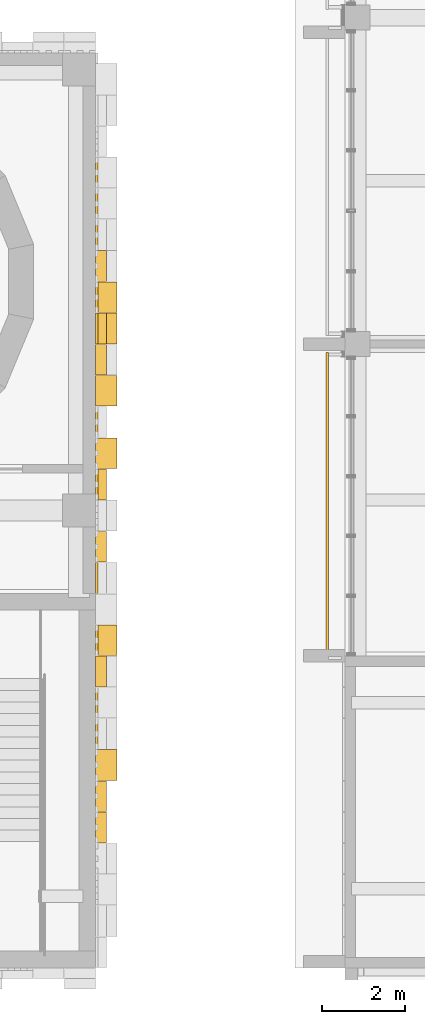
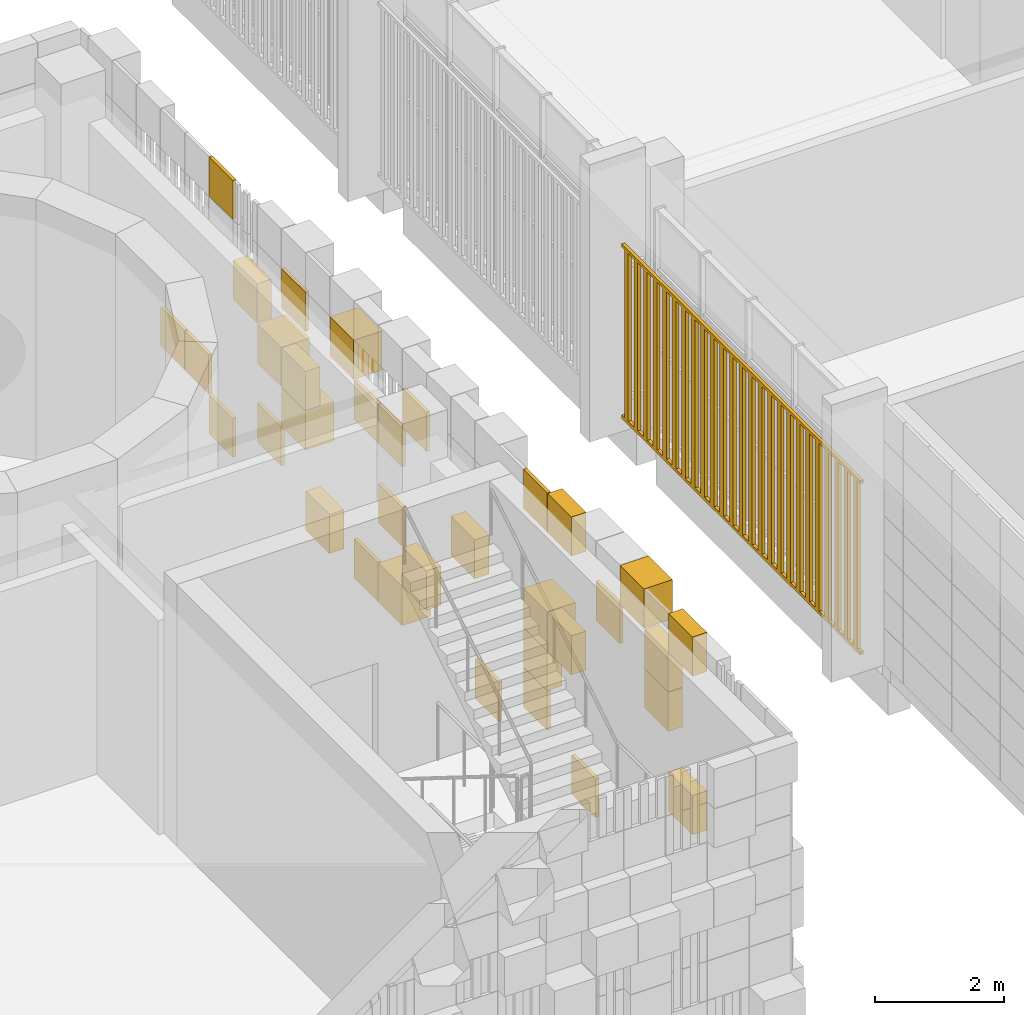
# One storey, part 107 of 125: 2 coverings, 1 shading device.
"""IFC4 building model written with IfcOpenShell, lengths in metres."""

from ifc_helpers import new_model, si_unit, direction, frame, origin, origin_2d, place, context, subcontext, project, spatial, rectangle, extrude, material, layer, layer_set, type_object, element, save


model = new_model("IFC4")

# Units and contexts
model_context = context("Model", 3, precision=1e-05, world=origin(), true_north=direction((0.0, 1.0)))
body_context = subcontext(model_context, "Body", "Model", "MODEL_VIEW")
ifc_project = project(units=[si_unit("LENGTHUNIT", "METRE"), si_unit("AREAUNIT", "SQUARE_METRE"), si_unit("VOLUMEUNIT", "CUBIC_METRE"), si_unit("PLANEANGLEUNIT", "RADIAN"), si_unit("MASSUNIT", "GRAM", prefix="KILO")], contexts=[model_context])

# Site, building, storey
site_placement = place(None, origin())
site = spatial("IfcSite", under=ifc_project, at=site_placement, CompositionType="ELEMENT")
building_placement = place(site_placement, origin())
building = spatial("IfcBuilding", under=site, at=building_placement, Name="Sun Court Science Centre", CompositionType="ELEMENT")
storey_placement = place(building_placement, frame((0.0, 0.0, 6.0)))
storey = spatial("IfcBuildingStorey", under=building, at=storey_placement, Name="L01", CompositionType="ELEMENT", Elevation=6.0)

# Shading device
ifc_material_1 = material(Name="Red sandstone", Category="masonry")
ifc_layer_1 = layer(ifc_material_1, 0.06005859375)
ifc_layer_set_1 = layer_set([ifc_layer_1], Name="Red sandstone")
shading_device_type = type_object("IfcShadingDeviceType", Name="Jali screen, sandstone", PredefinedType="USERDEFINED", material=ifc_layer_set_1)
shading_device_placement = place(storey_placement, frame((0.0, 0.0, -6.0)))
element("IfcShadingDevice", 1, at=shading_device_placement, inside=storey, type_object=shading_device_type, Name="Jali screen west face L01 01", ObjectType="JALI SCREEN", PredefinedType="USERDEFINED", context=body_context, shape_type="SweptSolid", body=[
    extrude(rectangle(XDim=0.1201171875, YDim=0.06005859375, at=origin_2d()), frame((77.570068359375, 13.548095703125, 6.33984375), z_axis=(0.0, 0.0, 1.0), x_axis=(0.0, 1.0, 0.0)), (0.0, 0.0, 1.0), 3.219970703125),
    extrude(rectangle(XDim=0.1201171875, YDim=0.06005859375, at=origin_2d()), frame((77.570068359375, 13.843994140625, 6.33984375), z_axis=(0.0, 0.0, 1.0), x_axis=(0.0, 1.0, 0.0)), (0.0, 0.0, 1.0), 3.219970703125),
    extrude(rectangle(XDim=0.1201171875, YDim=0.06005859375, at=origin_2d()), frame((77.570068359375, 14.139892578125, 6.33984375), z_axis=(0.0, 0.0, 1.0), x_axis=(0.0, 1.0, 0.0)), (0.0, 0.0, 1.0), 3.219970703125),
    extrude(rectangle(XDim=0.1201171875, YDim=0.06005859375, at=origin_2d()), frame((77.570068359375, 14.43603515625, 6.33984375), z_axis=(0.0, 0.0, 1.0), x_axis=(0.0, 1.0, 0.0)), (0.0, 0.0, 1.0), 3.219970703125),
    extrude(rectangle(XDim=0.1201171875, YDim=0.06005859375, at=origin_2d()), frame((77.570068359375, 14.73193359375, 6.33984375), z_axis=(0.0, 0.0, 1.0), x_axis=(0.0, 1.0, 0.0)), (0.0, 0.0, 1.0), 3.219970703125),
    extrude(rectangle(XDim=0.1201171875, YDim=0.06005859375, at=origin_2d()), frame((77.570068359375, 15.028076171875, 6.33984375), z_axis=(0.0, 0.0, 1.0), x_axis=(0.0, 1.0, 0.0)), (0.0, 0.0, 1.0), 3.219970703125),
    extrude(rectangle(XDim=0.1201171875, YDim=0.06005859375, at=origin_2d()), frame((77.570068359375, 15.323974609375, 6.33984375), z_axis=(0.0, 0.0, 1.0), x_axis=(0.0, 1.0, 0.0)), (0.0, 0.0, 1.0), 3.219970703125),
    extrude(rectangle(XDim=0.1201171875, YDim=0.06005859375, at=origin_2d()), frame((77.570068359375, 15.6201171875, 6.33984375), z_axis=(0.0, 0.0, 1.0), x_axis=(0.0, 1.0, 0.0)), (0.0, 0.0, 1.0), 3.219970703125),
    extrude(rectangle(XDim=0.1201171875, YDim=0.06005859375, at=origin_2d()), frame((77.570068359375, 15.916015625, 6.33984375), z_axis=(0.0, 0.0, 1.0), x_axis=(0.0, 1.0, 0.0)), (0.0, 0.0, 1.0), 3.219970703125),
    extrude(rectangle(XDim=0.1201171875, YDim=0.06005859375, at=origin_2d()), frame((77.570068359375, 16.2119140625, 6.33984375), z_axis=(0.0, 0.0, 1.0), x_axis=(0.0, 1.0, 0.0)), (0.0, 0.0, 1.0), 3.219970703125),
    extrude(rectangle(XDim=0.1201171875, YDim=0.06005859375, at=origin_2d()), frame((77.570068359375, 16.508056640625, 6.33984375), z_axis=(0.0, 0.0, 1.0), x_axis=(0.0, 1.0, 0.0)), (0.0, 0.0, 1.0), 3.219970703125),
    extrude(rectangle(XDim=0.1201171875, YDim=0.06005859375, at=origin_2d()), frame((77.570068359375, 16.803955078125, 6.33984375), z_axis=(0.0, 0.0, 1.0), x_axis=(0.0, 1.0, 0.0)), (0.0, 0.0, 1.0), 3.219970703125),
    extrude(rectangle(XDim=0.1201171875, YDim=0.06005859375, at=origin_2d()), frame((77.570068359375, 17.10009765625, 6.33984375), z_axis=(0.0, 0.0, 1.0), x_axis=(0.0, 1.0, 0.0)), (0.0, 0.0, 1.0), 3.219970703125),
    extrude(rectangle(XDim=0.1201171875, YDim=0.06005859375, at=origin_2d()), frame((77.570068359375, 17.39599609375, 6.33984375), z_axis=(0.0, 0.0, 1.0), x_axis=(0.0, 1.0, 0.0)), (0.0, 0.0, 1.0), 3.219970703125),
    extrude(rectangle(XDim=0.1201171875, YDim=0.06005859375, at=origin_2d()), frame((77.570068359375, 17.69189453125, 6.33984375), z_axis=(0.0, 0.0, 1.0), x_axis=(0.0, 1.0, 0.0)), (0.0, 0.0, 1.0), 3.219970703125),
    extrude(rectangle(XDim=0.1201171875, YDim=0.06005859375, at=origin_2d()), frame((77.570068359375, 17.988037109375, 6.33984375), z_axis=(0.0, 0.0, 1.0), x_axis=(0.0, 1.0, 0.0)), (0.0, 0.0, 1.0), 3.219970703125),
    extrude(rectangle(XDim=0.1201171875, YDim=0.06005859375, at=origin_2d()), frame((77.570068359375, 18.283935546875, 6.33984375), z_axis=(0.0, 0.0, 1.0), x_axis=(0.0, 1.0, 0.0)), (0.0, 0.0, 1.0), 3.219970703125),
    extrude(rectangle(XDim=0.1201171875, YDim=0.06005859375, at=origin_2d()), frame((77.570068359375, 18.580078125, 6.33984375), z_axis=(0.0, 0.0, 1.0), x_axis=(0.0, 1.0, 0.0)), (0.0, 0.0, 1.0), 3.219970703125),
    extrude(rectangle(XDim=0.1201171875, YDim=0.06005859375, at=origin_2d()), frame((77.570068359375, 18.8759765625, 6.33984375), z_axis=(0.0, 0.0, 1.0), x_axis=(0.0, 1.0, 0.0)), (0.0, 0.0, 1.0), 3.219970703125),
    extrude(rectangle(XDim=0.1201171875, YDim=0.06005859375, at=origin_2d()), frame((77.570068359375, 19.172119140625, 6.33984375), z_axis=(0.0, 0.0, 1.0), x_axis=(0.0, 1.0, 0.0)), (0.0, 0.0, 1.0), 3.219970703125),
    extrude(rectangle(XDim=0.1201171875, YDim=0.06005859375, at=origin_2d()), frame((77.570068359375, 19.468017578125, 6.33984375), z_axis=(0.0, 0.0, 1.0), x_axis=(0.0, 1.0, 0.0)), (0.0, 0.0, 1.0), 3.219970703125),
    extrude(rectangle(XDim=0.1201171875, YDim=0.06005859375, at=origin_2d()), frame((77.570068359375, 19.763916015625, 6.33984375), z_axis=(0.0, 0.0, 1.0), x_axis=(0.0, 1.0, 0.0)), (0.0, 0.0, 1.0), 3.219970703125),
    extrude(rectangle(XDim=0.1201171875, YDim=0.06005859375, at=origin_2d()), frame((77.570068359375, 20.06005859375, 6.33984375), z_axis=(0.0, 0.0, 1.0), x_axis=(0.0, 1.0, 0.0)), (0.0, 0.0, 1.0), 3.219970703125),
    extrude(rectangle(XDim=0.1201171875, YDim=0.06005859375, at=origin_2d()), frame((77.570068359375, 20.35595703125, 6.33984375), z_axis=(0.0, 0.0, 1.0), x_axis=(0.0, 1.0, 0.0)), (0.0, 0.0, 1.0), 3.219970703125),
    extrude(rectangle(XDim=0.1201171875, YDim=0.06005859375, at=origin_2d()), frame((77.570068359375, 20.652099609375, 6.33984375), z_axis=(0.0, 0.0, 1.0), x_axis=(0.0, 1.0, 0.0)), (0.0, 0.0, 1.0), 3.219970703125),
    extrude(rectangle(XDim=7.39990234375, YDim=0.06005859375, at=origin_2d()), frame((77.570068359375, 17.10009765625, 6.300048828125), z_axis=(0.0, 0.0, 1.0), x_axis=(0.0, 1.0, 0.0)), (0.0, 0.0, 1.0), 0.06005859375),
    extrude(rectangle(XDim=7.39990234375, YDim=0.06005859375, at=origin_2d()), frame((77.570068359375, 17.10009765625, 9.5400390625), z_axis=(0.0, 0.0, 1.0), x_axis=(0.0, 1.0, 0.0)), (0.0, 0.0, 1.0), 0.06005859375),
])

# Coverings
ifc_material_2 = material(Name="Terracotta shade 4", Category="masonry")
ifc_layer_2 = layer(ifc_material_2, 0.06005859375)
ifc_layer_set_2 = layer_set([ifc_layer_2], Name="Terracotta shade 4")
covering_type_1 = type_object("IfcCoveringType", Name="Terracotta pixel panel shade 4", PredefinedType="CLADDING", material=ifc_layer_set_2)
covering_1_placement = place(storey_placement, frame((0.0, 0.0, -6.0)))
element("IfcCovering", 2, at=covering_1_placement, inside=storey, type_object=covering_type_1, Name="Terracotta pixel cladding shade 4 east face L01", PredefinedType="CLADDING", context=body_context, shape_type="SweptSolid", body=[
    extrude(rectangle(XDim=0.739990234375, YDim=0.06005859375, at=origin_2d()), frame((72.030029296875, 23.625, 6.0048828125), z_axis=(0.0, 0.0, 1.0), x_axis=(0.0, -1.0, 0.0)), (0.0, 0.0, 1.0), 0.739990234375),
    extrude(rectangle(XDim=0.739990234375, YDim=0.260009765625, at=origin_2d()), frame((72.1298828125, 20.625, 6.0048828125), z_axis=(0.0, 0.0, 1.0), x_axis=(0.0, -1.0, 0.0)), (0.0, 0.0, 1.0), 0.739990234375),
    extrude(rectangle(XDim=0.739990234375, YDim=0.06005859375, at=origin_2d()), frame((72.030029296875, 19.125, 6.0048828125), z_axis=(0.0, 0.0, 1.0), x_axis=(0.0, -1.0, 0.0)), (0.0, 0.0, 1.0), 0.739990234375),
    extrude(rectangle(XDim=0.739990234375, YDim=0.06005859375, at=origin_2d()), frame((72.030029296875, 24.375, 6.7548828125), z_axis=(0.0, 0.0, 1.0), x_axis=(0.0, -1.0, 0.0)), (0.0, 0.0, 1.0), 0.739990234375),
    extrude(rectangle(XDim=0.739990234375, YDim=0.260009765625, at=origin_2d()), frame((72.1298828125, 17.625, 6.7548828125), z_axis=(0.0, 0.0, 1.0), x_axis=(0.0, -1.0, 0.0)), (0.0, 0.0, 1.0), 0.739990234375),
    extrude(rectangle(XDim=0.739990234375, YDim=0.06005859375, at=origin_2d()), frame((72.030029296875, 13.875, 6.7548828125), z_axis=(0.0, 0.0, 1.0), x_axis=(0.0, -1.0, 0.0)), (0.0, 0.0, 1.0), 0.739990234375),
    extrude(rectangle(XDim=0.739990234375, YDim=0.510009765625, at=origin_2d()), frame((72.2548828125, 21.375, 7.5048828125), z_axis=(0.0, 0.0, 1.0), x_axis=(0.0, -1.0, 0.0)), (0.0, 0.0, 1.0), 0.739990234375),
    extrude(rectangle(XDim=0.739990234375, YDim=0.06005859375, at=origin_2d()), frame((72.030029296875, 18.375, 7.5048828125), z_axis=(0.0, 0.0, 1.0), x_axis=(0.0, -1.0, 0.0)), (0.0, 0.0, 1.0), 0.739990234375),
    extrude(rectangle(XDim=0.739990234375, YDim=0.260009765625, at=origin_2d()), frame((72.1298828125, 13.875, 7.5048828125), z_axis=(0.0, 0.0, 1.0), x_axis=(0.0, -1.0, 0.0)), (0.0, 0.0, 1.0), 0.739990234375),
    extrude(rectangle(XDim=0.739990234375, YDim=0.260009765625, at=origin_2d()), frame((72.1298828125, 9.375, 7.5048828125), z_axis=(0.0, 0.0, 1.0), x_axis=(0.0, -1.0, 0.0)), (0.0, 0.0, 1.0), 0.739990234375),
    extrude(rectangle(XDim=0.739990234375, YDim=0.510009765625, at=origin_2d()), frame((72.2548828125, 22.125, 8.2548828125), z_axis=(0.0, 0.0, 1.0), x_axis=(0.0, -1.0, 0.0)), (0.0, 0.0, 1.0), 0.739990234375),
    extrude(rectangle(XDim=0.739990234375, YDim=0.260009765625, at=origin_2d()), frame((72.1298828125, 21.375, 8.2548828125), z_axis=(0.0, 0.0, 1.0), x_axis=(0.0, -1.0, 0.0)), (0.0, 0.0, 1.0), 0.739990234375),
    extrude(rectangle(XDim=0.739990234375, YDim=0.510009765625, at=origin_2d()), frame((72.2548828125, 13.875, 8.2548828125), z_axis=(0.0, 0.0, 1.0), x_axis=(0.0, -1.0, 0.0)), (0.0, 0.0, 1.0), 0.739990234375),
    extrude(rectangle(XDim=0.739990234375, YDim=0.260009765625, at=origin_2d()), frame((72.1298828125, 13.125, 8.2548828125), z_axis=(0.0, 0.0, 1.0), x_axis=(0.0, -1.0, 0.0)), (0.0, 0.0, 1.0), 0.739990234375),
    extrude(rectangle(XDim=0.739990234375, YDim=0.06005859375, at=origin_2d()), frame((72.030029296875, 19.125, 9.0048828125), z_axis=(0.0, 0.0, 1.0), x_axis=(0.0, -1.0, 0.0)), (0.0, 0.0, 1.0), 0.739990234375),
    extrude(rectangle(XDim=0.739990234375, YDim=0.06005859375, at=origin_2d()), frame((72.030029296875, 18.375, 9.0048828125), z_axis=(0.0, 0.0, 1.0), x_axis=(0.0, -1.0, 0.0)), (0.0, 0.0, 1.0), 0.739990234375),
    extrude(rectangle(XDim=0.739990234375, YDim=0.260009765625, at=origin_2d()), frame((72.1298828125, 10.125, 9.0048828125), z_axis=(0.0, 0.0, 1.0), x_axis=(0.0, -1.0, 0.0)), (0.0, 0.0, 1.0), 0.739990234375),
    extrude(rectangle(XDim=0.739990234375, YDim=0.06005859375, at=origin_2d()), frame((72.030029296875, 17.625, 9.7548828125), z_axis=(0.0, 0.0, 1.0), x_axis=(0.0, -1.0, 0.0)), (0.0, 0.0, 1.0), 0.739990234375),
    extrude(rectangle(XDim=0.739990234375, YDim=0.06005859375, at=origin_2d()), frame((72.030029296875, 11.625, 9.7548828125), z_axis=(0.0, 0.0, 1.0), x_axis=(0.0, -1.0, 0.0)), (0.0, 0.0, 1.0), 0.739990234375),
    extrude(rectangle(XDim=0.739990234375, YDim=0.260009765625, at=origin_2d()), frame((72.1298828125, 10.125, 9.7548828125), z_axis=(0.0, 0.0, 1.0), x_axis=(0.0, -1.0, 0.0)), (0.0, 0.0, 1.0), 0.739990234375),
    extrude(rectangle(XDim=0.739990234375, YDim=0.510009765625, at=origin_2d()), frame((72.2548828125, 10.875, 10.5048828125), z_axis=(0.0, 0.0, 1.0), x_axis=(0.0, -1.0, 0.0)), (0.0, 0.0, 1.0), 0.739990234375),
    extrude(rectangle(XDim=0.739990234375, YDim=0.260009765625, at=origin_2d()), frame((72.1298828125, 9.375, 10.5048828125), z_axis=(0.0, 0.0, 1.0), x_axis=(0.0, -1.0, 0.0)), (0.0, 0.0, 1.0), 0.739990234375),
])
ifc_material_3 = material(Name="Terracotta shade 5", Category="masonry")
ifc_layer_3 = layer(ifc_material_3, 0.06005859375)
ifc_layer_set_3 = layer_set([ifc_layer_3], Name="Terracotta shade 5")
covering_type_2 = type_object("IfcCoveringType", Name="Terracotta pixel panel shade 5", PredefinedType="CLADDING", material=ifc_layer_set_3)
covering_2_placement = place(storey_placement, frame((0.0, 0.0, -6.0)))
element("IfcCovering", 3, at=covering_2_placement, inside=storey, type_object=covering_type_2, Name="Terracotta pixel cladding shade 5 east face L01", PredefinedType="CLADDING", context=body_context, shape_type="SweptSolid", body=[
    extrude(rectangle(XDim=0.739990234375, YDim=0.510009765625, at=origin_2d()), frame((72.2548828125, 18.375, 6.0048828125), z_axis=(0.0, 0.0, 1.0), x_axis=(0.0, -1.0, 0.0)), (0.0, 0.0, 1.0), 0.739990234375),
    extrude(rectangle(XDim=0.739990234375, YDim=0.06005859375, at=origin_2d()), frame((72.030029296875, 15.375, 6.0048828125), z_axis=(0.0, 0.0, 1.0), x_axis=(0.0, -1.0, 0.0)), (0.0, 0.0, 1.0), 0.739990234375),
    extrude(rectangle(XDim=0.739990234375, YDim=0.06005859375, at=origin_2d()), frame((72.030029296875, 12.375, 6.0048828125), z_axis=(0.0, 0.0, 1.0), x_axis=(0.0, -1.0, 0.0)), (0.0, 0.0, 1.0), 0.739990234375),
    extrude(rectangle(XDim=0.739990234375, YDim=0.06005859375, at=origin_2d()), frame((72.030029296875, 25.125, 6.7548828125), z_axis=(0.0, 0.0, 1.0), x_axis=(0.0, -1.0, 0.0)), (0.0, 0.0, 1.0), 0.739990234375),
    extrude(rectangle(XDim=0.739990234375, YDim=0.06005859375, at=origin_2d()), frame((72.030029296875, 22.125, 6.7548828125), z_axis=(0.0, 0.0, 1.0), x_axis=(0.0, -1.0, 0.0)), (0.0, 0.0, 1.0), 0.739990234375),
    extrude(rectangle(XDim=0.739990234375, YDim=0.260009765625, at=origin_2d()), frame((72.1298828125, 16.125, 8.2548828125), z_axis=(0.0, 0.0, 1.0), x_axis=(0.0, -1.0, 0.0)), (0.0, 0.0, 1.0), 0.739990234375),
    extrude(rectangle(XDim=0.739990234375, YDim=0.260009765625, at=origin_2d()), frame((72.1298828125, 22.875, 9.0048828125), z_axis=(0.0, 0.0, 1.0), x_axis=(0.0, -1.0, 0.0)), (0.0, 0.0, 1.0), 0.739990234375),
    extrude(rectangle(XDim=0.739990234375, YDim=0.06005859375, at=origin_2d()), frame((72.030029296875, 21.375, 9.7548828125), z_axis=(0.0, 0.0, 1.0), x_axis=(0.0, -1.0, 0.0)), (0.0, 0.0, 1.0), 0.739990234375),
    extrude(rectangle(XDim=0.739990234375, YDim=0.510009765625, at=origin_2d()), frame((72.2548828125, 19.875, 9.7548828125), z_axis=(0.0, 0.0, 1.0), x_axis=(0.0, -1.0, 0.0)), (0.0, 0.0, 1.0), 0.739990234375),
    extrude(rectangle(XDim=0.739990234375, YDim=0.06005859375, at=origin_2d()), frame((72.030029296875, 23.625, 10.5048828125), z_axis=(0.0, 0.0, 1.0), x_axis=(0.0, -1.0, 0.0)), (0.0, 0.0, 1.0), 0.739990234375),
    extrude(rectangle(XDim=0.739990234375, YDim=0.06005859375, at=origin_2d()), frame((72.030029296875, 13.875, 10.5048828125), z_axis=(0.0, 0.0, 1.0), x_axis=(0.0, -1.0, 0.0)), (0.0, 0.0, 1.0), 0.739990234375),
    extrude(rectangle(XDim=0.739990234375, YDim=0.260009765625, at=origin_2d()), frame((72.1298828125, 13.125, 10.5048828125), z_axis=(0.0, 0.0, 1.0), x_axis=(0.0, -1.0, 0.0)), (0.0, 0.0, 1.0), 0.739990234375),
])

save(model, "model.ifc")
